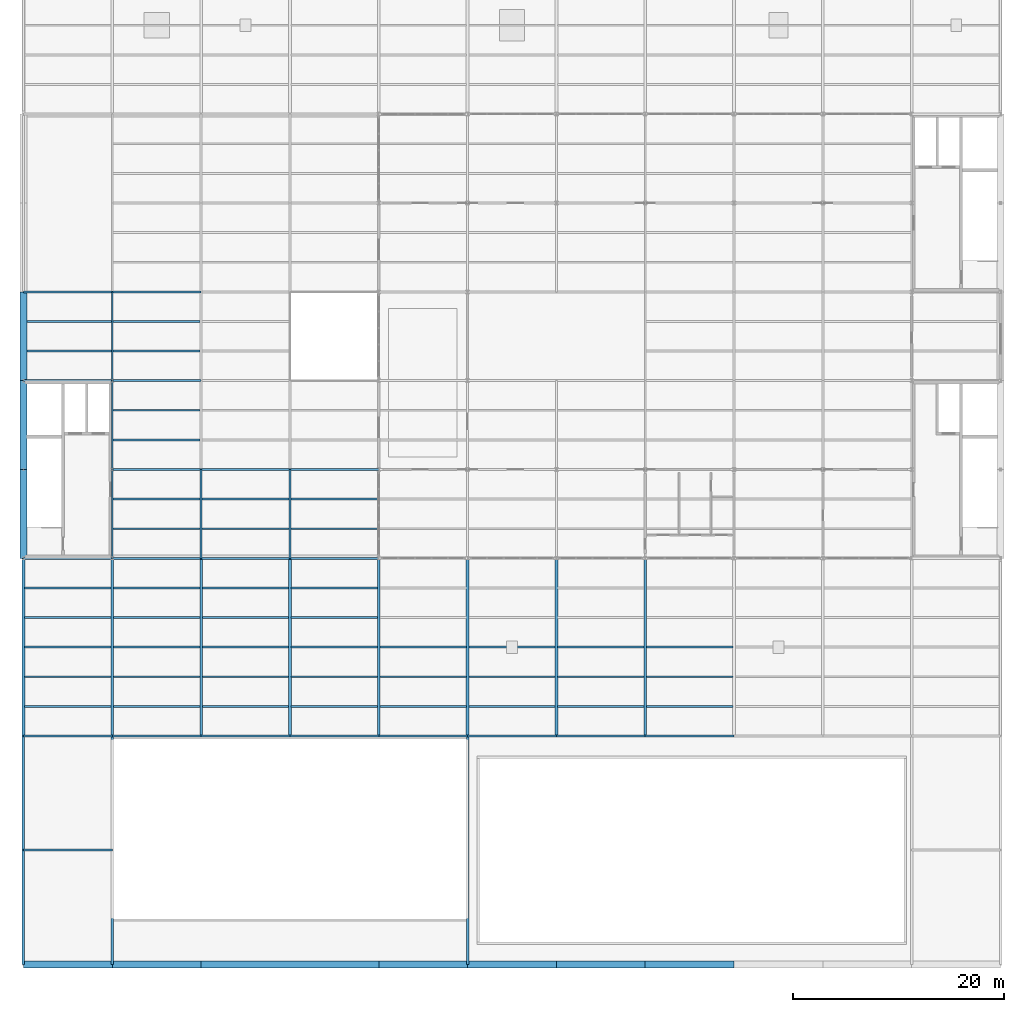
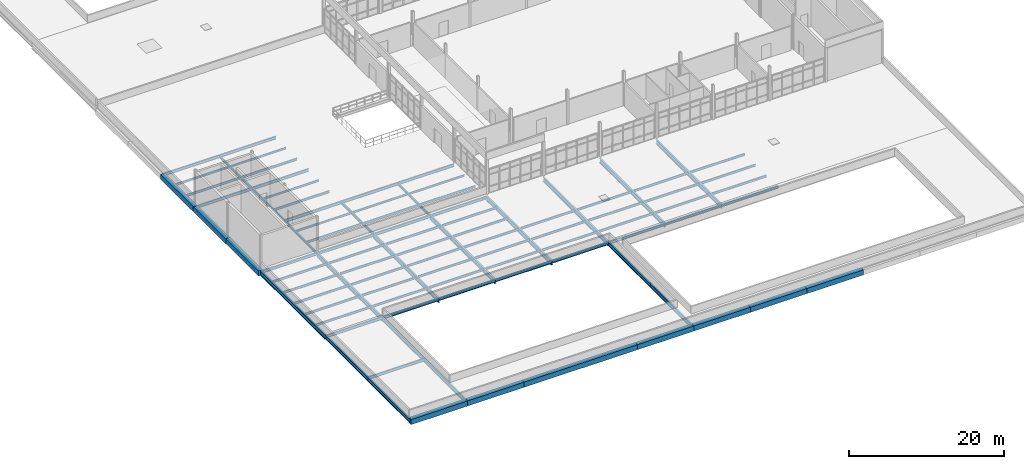
# One storey, part 6 of 33: 93 beams.
"""IFC4 building model written with IfcOpenShell, lengths in metres."""

from ifc_helpers import new_model, si_unit, direction, frame, origin, origin_2d, place, context, subcontext, project, spatial, rectangle, i_section, extrude, material, material_profile, profile_set, type_object, element, save


model = new_model("IFC4")

# Units and contexts
model_context = context("Model", 3, precision=1e-05, world=origin(), true_north=direction((0.0, 1.0)))
body_context = subcontext(model_context, "Body", "Model", "MODEL_VIEW")
ifc_project = project(units=[si_unit("LENGTHUNIT", "METRE"), si_unit("AREAUNIT", "SQUARE_METRE"), si_unit("VOLUMEUNIT", "CUBIC_METRE"), si_unit("PLANEANGLEUNIT", "RADIAN"), si_unit("MASSUNIT", "GRAM", prefix="KILO"), si_unit("THERMODYNAMICTEMPERATUREUNIT", "KELVIN"), si_unit("POWERUNIT", "WATT")], contexts=[model_context])

# Site, building, storey
site_placement = place(None, origin())
site = spatial("IfcSite", under=ifc_project, at=site_placement, CompositionType="ELEMENT")
building_placement = place(site_placement, origin())
building = spatial("IfcBuilding", under=site, at=building_placement, Name="Tembeka Court Mobility Hub", CompositionType="ELEMENT")
storey_placement = place(building_placement, frame((0.0, 0.0, 23.39990234375)))
storey = spatial("IfcBuildingStorey", under=building, at=storey_placement, Name="L06", CompositionType="ELEMENT", Elevation=23.39990234375)

# Beams
ifc_material_1 = material(Name="Steel S355", Category="steel")
ifc_material_profile_1 = material_profile(ifc_material_1, i_section(OverallWidth=0.18994140625, OverallDepth=0.45703125, WebThickness=0.009033203125, FlangeThickness=0.014404296875, FilletRadius=0.01025390625, at=origin_2d()), Name="UKB 457x191x74")
ifc_profile_set_1 = profile_set([ifc_material_profile_1], Name="Steel S355")
beam_type_1 = type_object("IfcBeamType", Name="BM-B01", PredefinedType="BEAM", material=ifc_profile_set_1)
for number, where, z_axis, x_axis, name in (
    (1, (0.0, 10.800048828125, -0.45849609375), (1.0, 0.0, 0.0), (0.0, 1.0, 0.0), "Beam B01 (BM-L06-X3098)"),
    (2, (0.0, 21.60009765625, -0.45849609375), (1.0, 0.0, 0.0), (0.0, 1.0, 0.0), "Beam B01 (BM-L06-X3100)"),
):
    element("IfcBeam", number, at=place(storey_placement, frame(where, z_axis=z_axis, x_axis=x_axis)), inside=storey, type_object=beam_type_1, Name=name, PredefinedType="BEAM", context=body_context, shape_type="SweptSolid", body=[
        extrude(i_section(OverallWidth=0.18994140625, OverallDepth=0.45703125, WebThickness=0.009033203125, FlangeThickness=0.014404296875, FilletRadius=0.01025390625, at=origin_2d()), origin(), (0.0, 0.0, 1.0), 8.39990234375),
    ])
beam_1_placement = place(storey_placement, frame((8.39990234375, 21.60009765625, -0.45849609375), z_axis=(1.0, 0.0, 0.0), x_axis=(0.0, 1.0, 0.0)))
element("IfcBeam", 3, at=beam_1_placement, inside=storey, type_object=beam_type_1, Name="Beam B01 (BM-L06-X3101)", PredefinedType="BEAM", context=body_context, shape_type="SweptSolid", body=[
    extrude(i_section(OverallWidth=0.18994140625, OverallDepth=0.45703125, WebThickness=0.009033203125, FlangeThickness=0.014404296875, FilletRadius=0.01025390625, at=origin_2d()), origin(), (0.0, 0.0, 1.0), 8.400146484375),
])
beam_2_placement = place(storey_placement, frame((16.800048828125, 21.60009765625, -0.45849609375), z_axis=(1.0, 0.0, 0.0), x_axis=(0.0, 1.0, 0.0)))
element("IfcBeam", 4, at=beam_2_placement, inside=storey, type_object=beam_type_1, Name="Beam B01 (BM-L06-X3102)", PredefinedType="BEAM", context=body_context, shape_type="SweptSolid", body=[
    extrude(i_section(OverallWidth=0.18994140625, OverallDepth=0.45703125, WebThickness=0.009033203125, FlangeThickness=0.014404296875, FilletRadius=0.01025390625, at=origin_2d()), origin(), (0.0, 0.0, 1.0), 8.39990234375),
])
beam_3_placement = place(storey_placement, frame((25.199951171875, 21.60009765625, -0.45849609375), z_axis=(1.0, 0.0, 0.0), x_axis=(0.0, 1.0, 0.0)))
element("IfcBeam", 5, at=beam_3_placement, inside=storey, type_object=beam_type_1, Name="Beam B01 (BM-L06-X3103)", PredefinedType="BEAM", context=body_context, shape_type="SweptSolid", body=[
    extrude(i_section(OverallWidth=0.18994140625, OverallDepth=0.45703125, WebThickness=0.009033203125, FlangeThickness=0.014404296875, FilletRadius=0.01025390625, at=origin_2d()), origin(), (0.0, 0.0, 1.0), 8.400146484375),
])
for number, where, z_axis, x_axis, name in (
    (6, (33.60009765625, 21.60009765625, -0.45849609375), (1.0, 0.0, 0.0), (0.0, 1.0, 0.0), "Beam B01 (BM-L06-X3104)"),
    (7, (42.0, 21.60009765625, -0.45849609375), (1.0, 0.0, 0.0), (0.0, 1.0, 0.0), "Beam B01 (BM-L06-X3105)"),
):
    element("IfcBeam", number, at=place(storey_placement, frame(where, z_axis=z_axis, x_axis=x_axis)), inside=storey, type_object=beam_type_1, Name=name, PredefinedType="BEAM", context=body_context, shape_type="SweptSolid", body=[
        extrude(i_section(OverallWidth=0.18994140625, OverallDepth=0.45703125, WebThickness=0.009033203125, FlangeThickness=0.014404296875, FilletRadius=0.01025390625, at=origin_2d()), origin(), (0.0, 0.0, 1.0), 8.39990234375),
    ])
beam_4_placement = place(storey_placement, frame((50.39990234375, 21.60009765625, -0.45849609375), z_axis=(1.0, 0.0, 0.0), x_axis=(0.0, 1.0, 0.0)))
element("IfcBeam", 8, at=beam_4_placement, inside=storey, type_object=beam_type_1, Name="Beam B01 (BM-L06-X3106)", PredefinedType="BEAM", context=body_context, shape_type="SweptSolid", body=[
    extrude(i_section(OverallWidth=0.18994140625, OverallDepth=0.45703125, WebThickness=0.009033203125, FlangeThickness=0.014404296875, FilletRadius=0.01025390625, at=origin_2d()), origin(), (0.0, 0.0, 1.0), 8.400146484375),
])
for number, where, z_axis, x_axis, name in (
    (9, (58.800048828125, 21.60009765625, -0.45849609375), (1.0, 0.0, 0.0), (0.0, 1.0, 0.0), "Beam B01 (BM-L06-X3107)"),
    (10, (0.0, 38.39990234375, -0.54833984375), (1.0, 0.0, 0.0), (0.0, 1.0, 0.0), "Beam B01 (BM-L06-X3111)"),
):
    element("IfcBeam", number, at=place(storey_placement, frame(where, z_axis=z_axis, x_axis=x_axis)), inside=storey, type_object=beam_type_1, Name=name, PredefinedType="BEAM", context=body_context, shape_type="SweptSolid", body=[
        extrude(i_section(OverallWidth=0.18994140625, OverallDepth=0.45703125, WebThickness=0.009033203125, FlangeThickness=0.014404296875, FilletRadius=0.01025390625, at=origin_2d()), origin(), (0.0, 0.0, 1.0), 8.39990234375),
    ])
beam_5_placement = place(storey_placement, frame((8.39990234375, 38.39990234375, -0.54833984375), z_axis=(1.0, 0.0, 0.0), x_axis=(0.0, 1.0, 0.0)))
element("IfcBeam", 11, at=beam_5_placement, inside=storey, type_object=beam_type_1, Name="Beam B01 (BM-L06-X3112)", PredefinedType="BEAM", context=body_context, shape_type="SweptSolid", body=[
    extrude(i_section(OverallWidth=0.18994140625, OverallDepth=0.45703125, WebThickness=0.009033203125, FlangeThickness=0.014404296875, FilletRadius=0.01025390625, at=origin_2d()), origin(), (0.0, 0.0, 1.0), 8.400146484375),
])
beam_6_placement = place(storey_placement, frame((16.800048828125, 38.39990234375, -0.54833984375), z_axis=(1.0, 0.0, 0.0), x_axis=(0.0, 1.0, 0.0)))
element("IfcBeam", 12, at=beam_6_placement, inside=storey, type_object=beam_type_1, Name="Beam B01 (BM-L06-X3113)", PredefinedType="BEAM", context=body_context, shape_type="SweptSolid", body=[
    extrude(i_section(OverallWidth=0.18994140625, OverallDepth=0.45703125, WebThickness=0.009033203125, FlangeThickness=0.014404296875, FilletRadius=0.01025390625, at=origin_2d()), origin(), (0.0, 0.0, 1.0), 8.39990234375),
])
for number, where, z_axis, x_axis, name in (
    (13, (25.199951171875, 38.39990234375, -0.54833984375), (1.0, 0.0, 0.0), (0.0, 1.0, 0.0), "Beam B01 (BM-L06-X3114)"),
    (14, (8.39990234375, 46.800048828125, -0.54833984375), (1.0, 0.0, 0.0), (0.0, 1.0, 0.0), "Beam B01 (BM-L06-X3122)"),
):
    element("IfcBeam", number, at=place(storey_placement, frame(where, z_axis=z_axis, x_axis=x_axis)), inside=storey, type_object=beam_type_1, Name=name, PredefinedType="BEAM", context=body_context, shape_type="SweptSolid", body=[
        extrude(i_section(OverallWidth=0.18994140625, OverallDepth=0.45703125, WebThickness=0.009033203125, FlangeThickness=0.014404296875, FilletRadius=0.01025390625, at=origin_2d()), origin(), (0.0, 0.0, 1.0), 8.400146484375),
    ])
beam_7_placement = place(storey_placement, frame((16.800048828125, 46.800048828125, -0.54833984375), z_axis=(1.0, 0.0, 0.0), x_axis=(0.0, 1.0, 0.0)))
element("IfcBeam", 15, at=beam_7_placement, inside=storey, type_object=beam_type_1, Name="Beam B01 (BM-L06-X3123)", PredefinedType="BEAM", context=body_context, shape_type="SweptSolid", body=[
    extrude(i_section(OverallWidth=0.18994140625, OverallDepth=0.45703125, WebThickness=0.009033203125, FlangeThickness=0.014404296875, FilletRadius=0.01025390625, at=origin_2d()), origin(), (0.0, 0.0, 1.0), 8.39990234375),
])
beam_8_placement = place(storey_placement, frame((25.199951171875, 46.800048828125, -0.54833984375), z_axis=(1.0, 0.0, 0.0), x_axis=(0.0, 1.0, 0.0)))
element("IfcBeam", 16, at=beam_8_placement, inside=storey, type_object=beam_type_1, Name="Beam B01 (BM-L06-X3124)", PredefinedType="BEAM", context=body_context, shape_type="SweptSolid", body=[
    extrude(i_section(OverallWidth=0.18994140625, OverallDepth=0.45703125, WebThickness=0.009033203125, FlangeThickness=0.014404296875, FilletRadius=0.01025390625, at=origin_2d()), origin(), (0.0, 0.0, 1.0), 8.400146484375),
])
beam_9_placement = place(storey_placement, frame((0.0, 55.199951171875, -0.54833984375), z_axis=(1.0, 0.0, 0.0), x_axis=(0.0, 1.0, 0.0)))
element("IfcBeam", 17, at=beam_9_placement, inside=storey, type_object=beam_type_1, Name="Beam B01 (BM-L06-X3131)", PredefinedType="BEAM", context=body_context, shape_type="SweptSolid", body=[
    extrude(i_section(OverallWidth=0.18994140625, OverallDepth=0.45703125, WebThickness=0.009033203125, FlangeThickness=0.014404296875, FilletRadius=0.01025390625, at=origin_2d()), origin(), (0.0, 0.0, 1.0), 8.39990234375),
])
beam_10_placement = place(storey_placement, frame((8.39990234375, 55.199951171875, -0.54833984375), z_axis=(1.0, 0.0, 0.0), x_axis=(0.0, 1.0, 0.0)))
element("IfcBeam", 18, at=beam_10_placement, inside=storey, type_object=beam_type_1, Name="Beam B01 (BM-L06-X3132)", PredefinedType="BEAM", context=body_context, shape_type="SweptSolid", body=[
    extrude(i_section(OverallWidth=0.18994140625, OverallDepth=0.45703125, WebThickness=0.009033203125, FlangeThickness=0.014404296875, FilletRadius=0.01025390625, at=origin_2d()), origin(), (0.0, 0.0, 1.0), 8.400146484375),
])
beam_11_placement = place(storey_placement, frame((0.0, 63.60009765625, -0.54833984375), z_axis=(1.0, 0.0, 0.0), x_axis=(0.0, 1.0, 0.0)))
element("IfcBeam", 19, at=beam_11_placement, inside=storey, type_object=beam_type_1, Name="Beam B01 (BM-L06-X3142)", PredefinedType="BEAM", context=body_context, shape_type="SweptSolid", body=[
    extrude(i_section(OverallWidth=0.18994140625, OverallDepth=0.45703125, WebThickness=0.009033203125, FlangeThickness=0.014404296875, FilletRadius=0.01025390625, at=origin_2d()), origin(), (0.0, 0.0, 1.0), 8.39990234375),
])
beam_12_placement = place(storey_placement, frame((8.39990234375, 63.60009765625, -0.54833984375), z_axis=(1.0, 0.0, 0.0), x_axis=(0.0, 1.0, 0.0)))
element("IfcBeam", 20, at=beam_12_placement, inside=storey, type_object=beam_type_1, Name="Beam B01 (BM-L06-X3143)", PredefinedType="BEAM", context=body_context, shape_type="SweptSolid", body=[
    extrude(i_section(OverallWidth=0.18994140625, OverallDepth=0.45703125, WebThickness=0.009033203125, FlangeThickness=0.014404296875, FilletRadius=0.01025390625, at=origin_2d()), origin(), (0.0, 0.0, 1.0), 8.400146484375),
])
ifc_material_profile_2 = material_profile(ifc_material_1, i_section(OverallWidth=0.177978515625, OverallDepth=0.406005859375, WebThickness=0.0078125, FlangeThickness=0.0126953125, FilletRadius=0.01025390625, at=origin_2d()), Name="UKB 406x178x60")
ifc_profile_set_2 = profile_set([ifc_material_profile_2], Name="Steel S355")
beam_type_2 = type_object("IfcBeamType", Name="BM-B02", PredefinedType="BEAM", material=ifc_profile_set_2)
beam_13_placement = place(storey_placement, frame((8.39990234375, 38.39990234375, -0.52294921875), z_axis=(0.0, 1.0, 0.0), x_axis=(-1.0, 0.0, 0.0)))
element("IfcBeam", 21, at=beam_13_placement, inside=storey, type_object=beam_type_2, Name="Beam B02 (BM-L06-Y3210)", PredefinedType="BEAM", context=body_context, shape_type="SweptSolid", body=[
    extrude(i_section(OverallWidth=0.177978515625, OverallDepth=0.406005859375, WebThickness=0.0078125, FlangeThickness=0.0126953125, FilletRadius=0.01025390625, at=origin_2d()), origin(), (0.0, 0.0, 1.0), 8.400146484375),
])
beam_14_placement = place(storey_placement, frame((8.39990234375, 46.800048828125, -0.52294921875), z_axis=(0.0, 1.0, 0.0), x_axis=(-1.0, 0.0, 0.0)))
element("IfcBeam", 22, at=beam_14_placement, inside=storey, type_object=beam_type_2, Name="Beam B02 (BM-L06-Y3211)", PredefinedType="BEAM", context=body_context, shape_type="SweptSolid", body=[
    extrude(i_section(OverallWidth=0.177978515625, OverallDepth=0.406005859375, WebThickness=0.0078125, FlangeThickness=0.0126953125, FilletRadius=0.01025390625, at=origin_2d()), origin(), (0.0, 0.0, 1.0), 8.39990234375),
])
for number, where, z_axis, x_axis, name in (
    (23, (8.39990234375, 55.199951171875, -0.52294921875), (0.0, 1.0, 0.0), (-1.0, 0.0, 0.0), "Beam B02 (BM-L06-Y3212)"),
    (24, (16.800048828125, 38.39990234375, -0.52294921875), (0.0, 1.0, 0.0), (-1.0, 0.0, 0.0), "Beam B02 (BM-L06-Y3219)"),
    (25, (25.199951171875, 38.39990234375, -0.52294921875), (0.0, 1.0, 0.0), (-1.0, 0.0, 0.0), "Beam B02 (BM-L06-Y3226)"),
):
    element("IfcBeam", number, at=place(storey_placement, frame(where, z_axis=z_axis, x_axis=x_axis)), inside=storey, type_object=beam_type_2, Name=name, PredefinedType="BEAM", context=body_context, shape_type="SweptSolid", body=[
        extrude(i_section(OverallWidth=0.177978515625, OverallDepth=0.406005859375, WebThickness=0.0078125, FlangeThickness=0.0126953125, FilletRadius=0.01025390625, at=origin_2d()), origin(), (0.0, 0.0, 1.0), 8.400146484375),
    ])
ifc_material_profile_3 = material_profile(ifc_material_1, i_section(OverallWidth=0.25390625, OverallDepth=0.68408203125, WebThickness=0.012451171875, FlangeThickness=0.01904296875, FilletRadius=0.01513671875, at=origin_2d()), Name="UKB 686x254x140")
ifc_profile_set_3 = profile_set([ifc_material_profile_3], Name="Steel S355")
beam_type_3 = type_object("IfcBeamType", Name="BM-G01", PredefinedType="USERDEFINED", material=ifc_profile_set_3)
for number, where, z_axis, x_axis, name in (
    (26, (0.0, 21.60009765625, -0.591796875), (0.0, 1.0, 0.0), (-1.0, 0.0, 0.0), "Beam G01 (BM-L06-Y3198)"),
    (27, (8.39990234375, 21.60009765625, -0.661865234375), (0.0, 1.0, 0.0), (-1.0, 0.0, 0.0), "Beam G01 (BM-L06-Y3209)"),
    (28, (16.800048828125, 21.60009765625, -0.661865234375), (0.0, 1.0, 0.0), (-1.0, 0.0, 0.0), "Beam G01 (BM-L06-Y3218)"),
    (29, (25.199951171875, 21.60009765625, -0.661865234375), (0.0, 1.0, 0.0), (-1.0, 0.0, 0.0), "Beam G01 (BM-L06-Y3225)"),
    (30, (33.60009765625, 21.60009765625, -0.661865234375), (0.0, 1.0, 0.0), (-1.0, 0.0, 0.0), "Beam G01 (BM-L06-Y3232)"),
    (31, (42.0, 21.60009765625, -0.591796875), (0.0, 1.0, 0.0), (-1.0, 0.0, 0.0), "Beam G01 (BM-L06-Y3240)"),
    (32, (50.39990234375, 21.60009765625, -0.591796875), (0.0, 1.0, 0.0), (-1.0, 0.0, 0.0), "Beam G01 (BM-L06-Y3248)"),
    (33, (58.800048828125, 21.60009765625, -0.591796875), (0.0, 1.0, 0.0), (-1.0, 0.0, 0.0), "Beam G01 (BM-L06-Y3254)"),
):
    element("IfcBeam", number, at=place(storey_placement, frame(where, z_axis=z_axis, x_axis=x_axis)), inside=storey, type_object=beam_type_3, Name=name, ObjectType="GIRDER", PredefinedType="USERDEFINED", context=body_context, shape_type="SweptSolid", body=[
        extrude(i_section(OverallWidth=0.25390625, OverallDepth=0.68408203125, WebThickness=0.012451171875, FlangeThickness=0.01904296875, FilletRadius=0.01513671875, at=origin_2d()), origin(), (0.0, 0.0, 1.0), 16.7998046875),
    ])
ifc_material_profile_4 = material_profile(ifc_material_1, i_section(OverallWidth=0.22900390625, OverallDepth=0.612060546875, WebThickness=0.011962890625, FlangeThickness=0.01953125, FilletRadius=0.0126953125, at=origin_2d()), Name="UKB 610x229x125")
ifc_profile_set_4 = profile_set([ifc_material_profile_4], Name="Steel S355")
beam_type_4 = type_object("IfcBeamType", Name="BM-G02", PredefinedType="USERDEFINED", material=ifc_profile_set_4)
for number, where, z_axis, x_axis, name in (
    (34, (0.0, 0.0, -0.535888671875), (0.0, 1.0, 0.0), (-1.0, 0.0, 0.0), "Beam G02 (BM-L06-Y3196)"),
    (35, (0.0, 10.800048828125, -0.535888671875), (0.0, 1.0, 0.0), (-1.0, 0.0, 0.0), "Beam G02 (BM-L06-Y3197)"),
    (36, (8.39990234375, 0.0, -0.535888671875), (0.0, 1.0, 0.0), (-1.0, 0.0, 0.0), "Beam G02 (BM-L06-Y3207)"),
    (37, (8.39990234375, 10.800048828125, -0.535888671875), (0.0, 1.0, 0.0), (-1.0, 0.0, 0.0), "Beam G02 (BM-L06-Y3208)"),
    (38, (42.0, 0.0, -0.535888671875), (0.0, 1.0, 0.0), (-1.0, 0.0, 0.0), "Beam G02 (BM-L06-Y3238)"),
    (39, (42.0, 10.800048828125, -0.535888671875), (0.0, 1.0, 0.0), (-1.0, 0.0, 0.0), "Beam G02 (BM-L06-Y3239)"),
):
    element("IfcBeam", number, at=place(storey_placement, frame(where, z_axis=z_axis, x_axis=x_axis)), inside=storey, type_object=beam_type_4, Name=name, ObjectType="GIRDER", PredefinedType="USERDEFINED", context=body_context, shape_type="SweptSolid", body=[
        extrude(i_section(OverallWidth=0.22900390625, OverallDepth=0.612060546875, WebThickness=0.011962890625, FlangeThickness=0.01953125, FilletRadius=0.0126953125, at=origin_2d()), origin(), (0.0, 0.0, 1.0), 10.800048828125),
    ])
ifc_material_profile_5 = material_profile(ifc_material_1, i_section(OverallWidth=0.172119140625, OverallDepth=0.35498046875, WebThickness=0.00732421875, FlangeThickness=0.011474609375, FilletRadius=0.01025390625, at=origin_2d()), Name="UKB 356x171x51")
ifc_profile_set_5 = profile_set([ifc_material_profile_5], Name="Steel S355")
beam_type_5 = type_object("IfcBeamType", Name="BM-J01", PredefinedType="JOIST", material=ifc_profile_set_5)
for number, where, z_axis, x_axis, name in (
    (40, (0.1220703125, 24.39990234375, -0.407470703125), (1.0, 0.0, 0.0), (0.0, 1.0, 0.0), "Beam J01 (JST-L06-3297)"),
    (41, (0.1220703125, 27.199951171875, -0.407470703125), (1.0, 0.0, 0.0), (0.0, 1.0, 0.0), "Beam J01 (JST-L06-3298)"),
    (42, (0.1220703125, 30.0, -0.407470703125), (1.0, 0.0, 0.0), (0.0, 1.0, 0.0), "Beam J01 (JST-L06-3299)"),
    (43, (0.1220703125, 32.800048828125, -0.407470703125), (1.0, 0.0, 0.0), (0.0, 1.0, 0.0), "Beam J01 (JST-L06-3300)"),
    (44, (0.1220703125, 35.60009765625, -0.407470703125), (1.0, 0.0, 0.0), (0.0, 1.0, 0.0), "Beam J01 (JST-L06-3301)"),
    (45, (8.52197265625, 24.39990234375, -0.407470703125), (1.0, 0.0, 0.0), (0.0, 1.0, 0.0), "Beam J01 (JST-L06-3309)"),
    (46, (8.52197265625, 27.199951171875, -0.407470703125), (1.0, 0.0, 0.0), (0.0, 1.0, 0.0), "Beam J01 (JST-L06-3310)"),
    (47, (8.52197265625, 30.0, -0.407470703125), (1.0, 0.0, 0.0), (0.0, 1.0, 0.0), "Beam J01 (JST-L06-3311)"),
    (48, (8.52197265625, 32.800048828125, -0.407470703125), (1.0, 0.0, 0.0), (0.0, 1.0, 0.0), "Beam J01 (JST-L06-3312)"),
    (49, (8.52197265625, 35.60009765625, -0.407470703125), (1.0, 0.0, 0.0), (0.0, 1.0, 0.0), "Beam J01 (JST-L06-3313)"),
):
    element("IfcBeam", number, at=place(storey_placement, frame(where, z_axis=z_axis, x_axis=x_axis)), inside=storey, type_object=beam_type_5, Name=name, PredefinedType="JOIST", context=body_context, shape_type="SweptSolid", body=[
        extrude(i_section(OverallWidth=0.172119140625, OverallDepth=0.35498046875, WebThickness=0.00732421875, FlangeThickness=0.011474609375, FilletRadius=0.01025390625, at=origin_2d()), origin(), (0.0, 0.0, 1.0), 8.156005859375),
    ])
for number, where, z_axis, x_axis, name in (
    (50, (16.922119140625, 24.39990234375, -0.407470703125), (1.0, 0.0, 0.0), (0.0, 1.0, 0.0), "Beam J01 (JST-L06-3329)"),
    (51, (16.922119140625, 27.199951171875, -0.407470703125), (1.0, 0.0, 0.0), (0.0, 1.0, 0.0), "Beam J01 (JST-L06-3330)"),
    (52, (16.922119140625, 30.0, -0.407470703125), (1.0, 0.0, 0.0), (0.0, 1.0, 0.0), "Beam J01 (JST-L06-3331)"),
    (53, (16.922119140625, 32.800048828125, -0.407470703125), (1.0, 0.0, 0.0), (0.0, 1.0, 0.0), "Beam J01 (JST-L06-3332)"),
    (54, (16.922119140625, 35.60009765625, -0.407470703125), (1.0, 0.0, 0.0), (0.0, 1.0, 0.0), "Beam J01 (JST-L06-3333)"),
):
    element("IfcBeam", number, at=place(storey_placement, frame(where, z_axis=z_axis, x_axis=x_axis)), inside=storey, type_object=beam_type_5, Name=name, PredefinedType="JOIST", context=body_context, shape_type="SweptSolid", body=[
        extrude(i_section(OverallWidth=0.172119140625, OverallDepth=0.35498046875, WebThickness=0.00732421875, FlangeThickness=0.011474609375, FilletRadius=0.01025390625, at=origin_2d()), origin(), (0.0, 0.0, 1.0), 8.15576171875),
    ])
for number, where, z_axis, x_axis, name in (
    (55, (25.322021484375, 24.39990234375, -0.407470703125), (1.0, 0.0, 0.0), (0.0, 1.0, 0.0), "Beam J01 (JST-L06-3349)"),
    (56, (25.322021484375, 27.199951171875, -0.407470703125), (1.0, 0.0, 0.0), (0.0, 1.0, 0.0), "Beam J01 (JST-L06-3350)"),
    (57, (25.322021484375, 30.0, -0.407470703125), (1.0, 0.0, 0.0), (0.0, 1.0, 0.0), "Beam J01 (JST-L06-3351)"),
    (58, (25.322021484375, 32.800048828125, -0.407470703125), (1.0, 0.0, 0.0), (0.0, 1.0, 0.0), "Beam J01 (JST-L06-3352)"),
    (59, (25.322021484375, 35.60009765625, -0.407470703125), (1.0, 0.0, 0.0), (0.0, 1.0, 0.0), "Beam J01 (JST-L06-3353)"),
    (60, (33.721923828125, 24.39990234375, -0.407470703125), (1.0, 0.0, 0.0), (0.0, 1.0, 0.0), "Beam J01 (JST-L06-3367)"),
    (61, (33.721923828125, 27.199951171875, -0.407470703125), (1.0, 0.0, 0.0), (0.0, 1.0, 0.0), "Beam J01 (JST-L06-3368)"),
    (62, (33.721923828125, 30.0, -0.407470703125), (1.0, 0.0, 0.0), (0.0, 1.0, 0.0), "Beam J01 (JST-L06-3369)"),
    (63, (42.1220703125, 24.39990234375, -0.407470703125), (1.0, 0.0, 0.0), (0.0, 1.0, 0.0), "Beam J01 (JST-L06-3385)"),
    (64, (42.1220703125, 27.199951171875, -0.407470703125), (1.0, 0.0, 0.0), (0.0, 1.0, 0.0), "Beam J01 (JST-L06-3386)"),
    (65, (42.1220703125, 30.0, -0.407470703125), (1.0, 0.0, 0.0), (0.0, 1.0, 0.0), "Beam J01 (JST-L06-3387)"),
    (66, (50.52197265625, 24.39990234375, -0.407470703125), (1.0, 0.0, 0.0), (0.0, 1.0, 0.0), "Beam J01 (JST-L06-3403)"),
    (67, (50.52197265625, 27.199951171875, -0.407470703125), (1.0, 0.0, 0.0), (0.0, 1.0, 0.0), "Beam J01 (JST-L06-3404)"),
    (68, (50.52197265625, 30.0, -0.407470703125), (1.0, 0.0, 0.0), (0.0, 1.0, 0.0), "Beam J01 (JST-L06-3405)"),
):
    element("IfcBeam", number, at=place(storey_placement, frame(where, z_axis=z_axis, x_axis=x_axis)), inside=storey, type_object=beam_type_5, Name=name, PredefinedType="JOIST", context=body_context, shape_type="SweptSolid", body=[
        extrude(i_section(OverallWidth=0.172119140625, OverallDepth=0.35498046875, WebThickness=0.00732421875, FlangeThickness=0.011474609375, FilletRadius=0.01025390625, at=origin_2d()), origin(), (0.0, 0.0, 1.0), 8.156005859375),
    ])
for number, where, z_axis, x_axis, name in (
    (69, (58.922119140625, 24.39990234375, -0.407470703125), (1.0, 0.0, 0.0), (0.0, 1.0, 0.0), "Beam J01 (JST-L06-3421)"),
    (70, (58.922119140625, 27.199951171875, -0.407470703125), (1.0, 0.0, 0.0), (0.0, 1.0, 0.0), "Beam J01 (JST-L06-3422)"),
    (71, (58.922119140625, 30.0, -0.407470703125), (1.0, 0.0, 0.0), (0.0, 1.0, 0.0), "Beam J01 (JST-L06-3423)"),
):
    element("IfcBeam", number, at=place(storey_placement, frame(where, z_axis=z_axis, x_axis=x_axis)), inside=storey, type_object=beam_type_5, Name=name, PredefinedType="JOIST", context=body_context, shape_type="SweptSolid", body=[
        extrude(i_section(OverallWidth=0.172119140625, OverallDepth=0.35498046875, WebThickness=0.00732421875, FlangeThickness=0.011474609375, FilletRadius=0.01025390625, at=origin_2d()), origin(), (0.0, 0.0, 1.0), 8.15576171875),
    ])
ifc_material_profile_6 = material_profile(ifc_material_1, i_section(OverallWidth=0.1650390625, OverallDepth=0.303955078125, WebThickness=0.006103515625, FlangeThickness=0.01025390625, FilletRadius=0.0087890625, at=origin_2d()), Name="UKB 305x165x40")
ifc_profile_set_6 = profile_set([ifc_material_profile_6], Name="Steel S355")
beam_type_6 = type_object("IfcBeamType", Name="BM-J02", PredefinedType="JOIST", material=ifc_profile_set_6)
beam_15_placement = place(storey_placement, frame((0.320068359375, 60.800048828125, -0.471923828125), z_axis=(1.0, 0.0, 0.0), x_axis=(0.0, 1.0, 0.0)))
element("IfcBeam", 72, at=beam_15_placement, inside=storey, type_object=beam_type_6, Name="Beam J02 (JST-L06-3303)", PredefinedType="JOIST", context=body_context, shape_type="SweptSolid", body=[
    extrude(i_section(OverallWidth=0.1650390625, OverallDepth=0.303955078125, WebThickness=0.006103515625, FlangeThickness=0.01025390625, FilletRadius=0.0087890625, at=origin_2d()), origin(), (0.0, 0.0, 1.0), 7.995849609375),
])
for number, where, z_axis, x_axis, name in (
    (73, (8.48388671875, 44.0, -0.471923828125), (1.0, 0.0, 0.0), (0.0, 1.0, 0.0), "Beam J02 (JST-L06-3315)"),
    (74, (8.48388671875, 52.39990234375, -0.471923828125), (1.0, 0.0, 0.0), (0.0, 1.0, 0.0), "Beam J02 (JST-L06-3317)"),
    (75, (8.48388671875, 60.800048828125, -0.471923828125), (1.0, 0.0, 0.0), (0.0, 1.0, 0.0), "Beam J02 (JST-L06-3319)"),
):
    element("IfcBeam", number, at=place(storey_placement, frame(where, z_axis=z_axis, x_axis=x_axis)), inside=storey, type_object=beam_type_6, Name=name, PredefinedType="JOIST", context=body_context, shape_type="SweptSolid", body=[
        extrude(i_section(OverallWidth=0.1650390625, OverallDepth=0.303955078125, WebThickness=0.006103515625, FlangeThickness=0.01025390625, FilletRadius=0.0087890625, at=origin_2d()), origin(), (0.0, 0.0, 1.0), 8.232177734375),
    ])
beam_16_placement = place(storey_placement, frame((16.884033203125, 44.0, -0.471923828125), z_axis=(1.0, 0.0, 0.0), x_axis=(0.0, 1.0, 0.0)))
element("IfcBeam", 76, at=beam_16_placement, inside=storey, type_object=beam_type_6, Name="Beam J02 (JST-L06-3335)", PredefinedType="JOIST", context=body_context, shape_type="SweptSolid", body=[
    extrude(i_section(OverallWidth=0.1650390625, OverallDepth=0.303955078125, WebThickness=0.006103515625, FlangeThickness=0.01025390625, FilletRadius=0.0087890625, at=origin_2d()), origin(), (0.0, 0.0, 1.0), 8.23193359375),
])
beam_17_placement = place(storey_placement, frame((25.283935546875, 44.0, -0.471923828125), z_axis=(1.0, 0.0, 0.0), x_axis=(0.0, 1.0, 0.0)))
element("IfcBeam", 77, at=beam_17_placement, inside=storey, type_object=beam_type_6, Name="Beam J02 (JST-L06-3355)", PredefinedType="JOIST", context=body_context, shape_type="SweptSolid", body=[
    extrude(i_section(OverallWidth=0.1650390625, OverallDepth=0.303955078125, WebThickness=0.006103515625, FlangeThickness=0.01025390625, FilletRadius=0.0087890625, at=origin_2d()), origin(), (0.0, 0.0, 1.0), 8.232177734375),
])
ifc_material_profile_7 = material_profile(ifc_material_1, i_section(OverallWidth=0.169921875, OverallDepth=0.360107421875, WebThickness=0.008056640625, FlangeThickness=0.0126953125, FilletRadius=0.01806640625, at=origin_2d()), Name="IPE 360")
ifc_profile_set_7 = profile_set([ifc_material_profile_7], Name="Steel S355")
beam_type_7 = type_object("IfcBeamType", Name="BM-J03", PredefinedType="JOIST", material=ifc_profile_set_7)
beam_18_placement = place(storey_placement, frame((0.320068359375, 58.0, -0.5), z_axis=(1.0, 0.0, 0.0), x_axis=(0.0, 1.0, 0.0)))
element("IfcBeam", 78, at=beam_18_placement, inside=storey, type_object=beam_type_7, Name="Beam J03 (JST-L06-3302)", PredefinedType="JOIST", context=body_context, shape_type="SweptSolid", body=[
    extrude(i_section(OverallWidth=0.169921875, OverallDepth=0.360107421875, WebThickness=0.008056640625, FlangeThickness=0.0126953125, FilletRadius=0.01806640625, at=origin_2d()), origin(), (0.0, 0.0, 1.0), 7.995849609375),
])
for number, where, z_axis, x_axis, name in (
    (79, (8.48388671875, 41.199951171875, -0.5), (1.0, 0.0, 0.0), (0.0, 1.0, 0.0), "Beam J03 (JST-L06-3314)"),
    (80, (8.48388671875, 49.60009765625, -0.5), (1.0, 0.0, 0.0), (0.0, 1.0, 0.0), "Beam J03 (JST-L06-3316)"),
    (81, (8.48388671875, 58.0, -0.5), (1.0, 0.0, 0.0), (0.0, 1.0, 0.0), "Beam J03 (JST-L06-3318)"),
):
    element("IfcBeam", number, at=place(storey_placement, frame(where, z_axis=z_axis, x_axis=x_axis)), inside=storey, type_object=beam_type_7, Name=name, PredefinedType="JOIST", context=body_context, shape_type="SweptSolid", body=[
        extrude(i_section(OverallWidth=0.169921875, OverallDepth=0.360107421875, WebThickness=0.008056640625, FlangeThickness=0.0126953125, FilletRadius=0.01806640625, at=origin_2d()), origin(), (0.0, 0.0, 1.0), 8.232177734375),
    ])
beam_19_placement = place(storey_placement, frame((16.884033203125, 41.199951171875, -0.5), z_axis=(1.0, 0.0, 0.0), x_axis=(0.0, 1.0, 0.0)))
element("IfcBeam", 82, at=beam_19_placement, inside=storey, type_object=beam_type_7, Name="Beam J03 (JST-L06-3334)", PredefinedType="JOIST", context=body_context, shape_type="SweptSolid", body=[
    extrude(i_section(OverallWidth=0.169921875, OverallDepth=0.360107421875, WebThickness=0.008056640625, FlangeThickness=0.0126953125, FilletRadius=0.01806640625, at=origin_2d()), origin(), (0.0, 0.0, 1.0), 8.23193359375),
])
beam_20_placement = place(storey_placement, frame((25.283935546875, 41.199951171875, -0.5), z_axis=(1.0, 0.0, 0.0), x_axis=(0.0, 1.0, 0.0)))
element("IfcBeam", 83, at=beam_20_placement, inside=storey, type_object=beam_type_7, Name="Beam J03 (JST-L06-3354)", PredefinedType="JOIST", context=body_context, shape_type="SweptSolid", body=[
    extrude(i_section(OverallWidth=0.169921875, OverallDepth=0.360107421875, WebThickness=0.008056640625, FlangeThickness=0.0126953125, FilletRadius=0.01806640625, at=origin_2d()), origin(), (0.0, 0.0, 1.0), 8.232177734375),
])
ifc_material_2 = material(Name="Precast concrete C45/55", Category="concrete")
ifc_material_profile_8 = material_profile(ifc_material_2, rectangle(XDim=0.64990234375, YDim=0.800048828125, at=origin_2d()), Name="PC-SP 650x800")
ifc_profile_set_8 = profile_set([ifc_material_profile_8], Name="Precast concrete C45/55")
beam_type_8 = type_object("IfcBeamType", Name="BM-SP01", PredefinedType="SPANDREL", material=ifc_profile_set_8)
beam_21_placement = place(storey_placement, frame((0.0, 0.0, -0.6298828125), z_axis=(1.0, 0.0, 0.0), x_axis=(0.0, 1.0, 0.0)))
element("IfcBeam", 84, at=beam_21_placement, inside=storey, type_object=beam_type_8, Name="Beam SP01 (BM-L06-X3088)", PredefinedType="SPANDREL", context=body_context, shape_type="SweptSolid", body=[
    extrude(rectangle(XDim=0.64990234375, YDim=0.800048828125, at=origin_2d()), origin(), (0.0, 0.0, 1.0), 8.39990234375),
])
beam_22_placement = place(storey_placement, frame((8.39990234375, 0.0, -0.6298828125), z_axis=(1.0, 0.0, 0.0), x_axis=(0.0, 1.0, 0.0)))
element("IfcBeam", 85, at=beam_22_placement, inside=storey, type_object=beam_type_8, Name="Beam SP01 (BM-L06-X3089)", PredefinedType="SPANDREL", context=body_context, shape_type="SweptSolid", body=[
    extrude(rectangle(XDim=0.64990234375, YDim=0.800048828125, at=origin_2d()), origin(), (0.0, 0.0, 1.0), 8.400146484375),
])
beam_23_placement = place(storey_placement, frame((16.800048828125, 0.0, -0.6298828125), z_axis=(1.0, 0.0, 0.0), x_axis=(0.0, 1.0, 0.0)))
element("IfcBeam", 86, at=beam_23_placement, inside=storey, type_object=beam_type_8, Name="Beam SP01 (BM-L06-X3090)", PredefinedType="SPANDREL", context=body_context, shape_type="SweptSolid", body=[
    extrude(rectangle(XDim=0.64990234375, YDim=0.800048828125, at=origin_2d()), origin(), (0.0, 0.0, 1.0), 16.800048828125),
])
for number, where, z_axis, x_axis, name in (
    (87, (33.60009765625, 0.0, -0.6298828125), (1.0, 0.0, 0.0), (0.0, 1.0, 0.0), "Beam SP01 (BM-L06-X3091)"),
    (88, (42.0, 0.0, -0.6298828125), (1.0, 0.0, 0.0), (0.0, 1.0, 0.0), "Beam SP01 (BM-L06-X3092)"),
):
    element("IfcBeam", number, at=place(storey_placement, frame(where, z_axis=z_axis, x_axis=x_axis)), inside=storey, type_object=beam_type_8, Name=name, PredefinedType="SPANDREL", context=body_context, shape_type="SweptSolid", body=[
        extrude(rectangle(XDim=0.64990234375, YDim=0.800048828125, at=origin_2d()), origin(), (0.0, 0.0, 1.0), 8.39990234375),
    ])
beam_24_placement = place(storey_placement, frame((50.39990234375, 0.0, -0.6298828125), z_axis=(1.0, 0.0, 0.0), x_axis=(0.0, 1.0, 0.0)))
element("IfcBeam", 89, at=beam_24_placement, inside=storey, type_object=beam_type_8, Name="Beam SP01 (BM-L06-X3093)", PredefinedType="SPANDREL", context=body_context, shape_type="SweptSolid", body=[
    extrude(rectangle(XDim=0.64990234375, YDim=0.800048828125, at=origin_2d()), origin(), (0.0, 0.0, 1.0), 8.400146484375),
])
beam_25_placement = place(storey_placement, frame((58.800048828125, 0.0, -0.6298828125), z_axis=(1.0, 0.0, 0.0), x_axis=(0.0, 1.0, 0.0)))
element("IfcBeam", 90, at=beam_25_placement, inside=storey, type_object=beam_type_8, Name="Beam SP01 (BM-L06-X3094)", PredefinedType="SPANDREL", context=body_context, shape_type="SweptSolid", body=[
    extrude(rectangle(XDim=0.64990234375, YDim=0.800048828125, at=origin_2d()), origin(), (0.0, 0.0, 1.0), 8.39990234375),
])
beam_26_placement = place(storey_placement, frame((0.0, 38.39990234375, -0.64990234375), z_axis=(0.0, 1.0, 0.0), x_axis=(-1.0, 0.0, 0.0)))
element("IfcBeam", 91, at=beam_26_placement, inside=storey, type_object=beam_type_8, Name="Beam SP01 (BM-L06-Y3199)", PredefinedType="SPANDREL", context=body_context, shape_type="SweptSolid", body=[
    extrude(rectangle(XDim=0.64990234375, YDim=0.800048828125, at=origin_2d()), origin(), (0.0, 0.0, 1.0), 8.400146484375),
])
beam_27_placement = place(storey_placement, frame((0.0, 46.800048828125, -0.719970703125), z_axis=(0.0, 1.0, 0.0), x_axis=(-1.0, 0.0, 0.0)))
element("IfcBeam", 92, at=beam_27_placement, inside=storey, type_object=beam_type_8, Name="Beam SP01 (BM-L06-Y3200)", PredefinedType="SPANDREL", context=body_context, shape_type="SweptSolid", body=[
    extrude(rectangle(XDim=0.64990234375, YDim=0.800048828125, at=origin_2d()), origin(), (0.0, 0.0, 1.0), 8.39990234375),
])
beam_28_placement = place(storey_placement, frame((0.0, 55.199951171875, -0.719970703125), z_axis=(0.0, 1.0, 0.0), x_axis=(-1.0, 0.0, 0.0)))
element("IfcBeam", 93, at=beam_28_placement, inside=storey, type_object=beam_type_8, Name="Beam SP01 (BM-L06-Y3201)", PredefinedType="SPANDREL", context=body_context, shape_type="SweptSolid", body=[
    extrude(rectangle(XDim=0.64990234375, YDim=0.800048828125, at=origin_2d()), origin(), (0.0, 0.0, 1.0), 8.400146484375),
])

save(model, "model.ifc")
